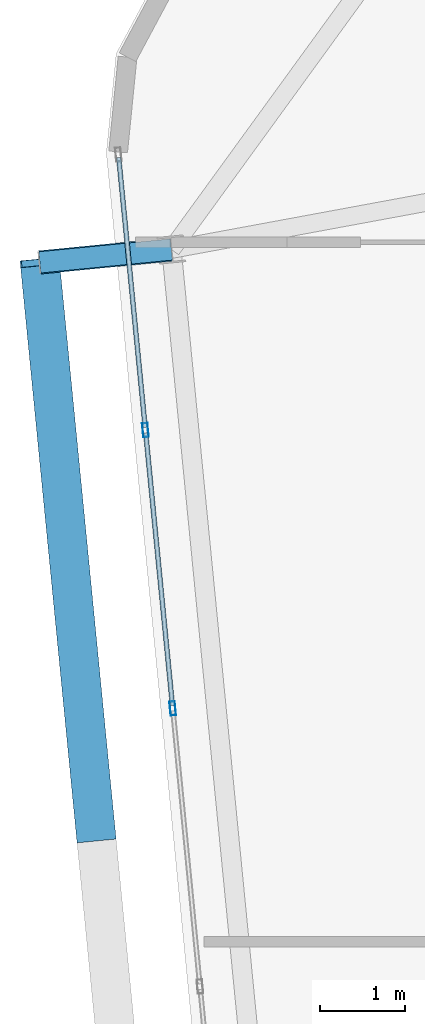
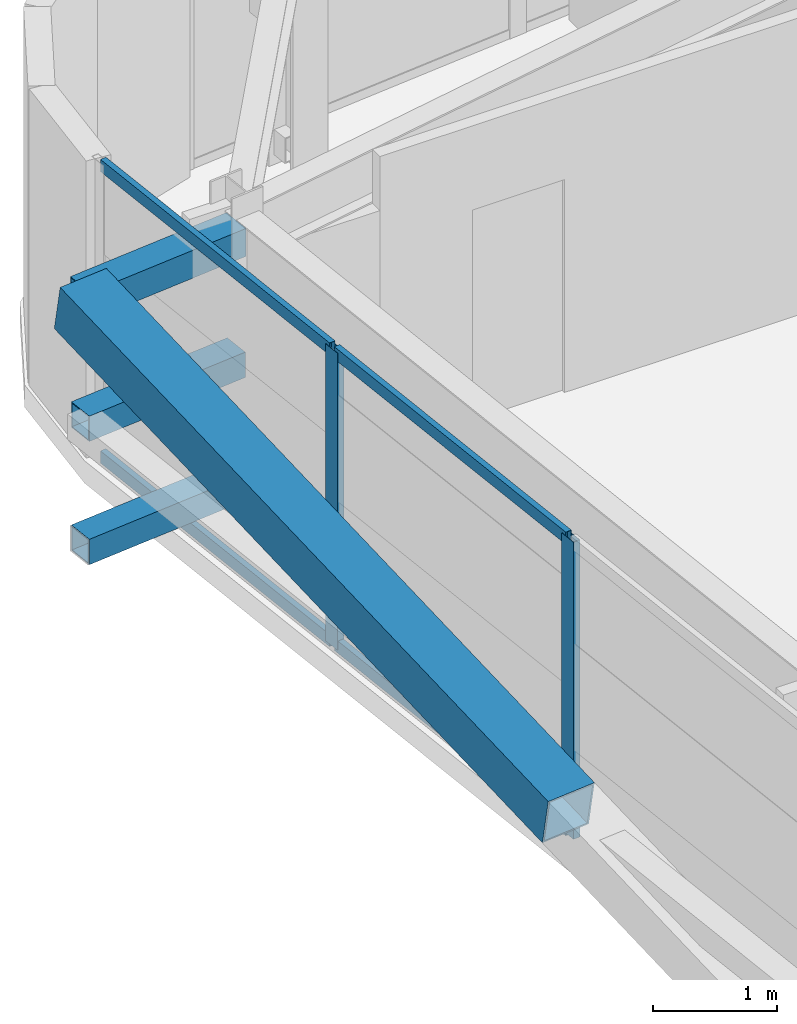
# One storey, part 15 of 52: 10 members, 1 element without a shape of its own.
"""IFC4 building model written with IfcOpenShell, lengths in metres."""

from ifc_helpers import new_model, si_unit, direction, frame, origin, origin_2d, place, context, subcontext, project, spatial, hollow_rectangle, extrude, source, transform, mapped, material, layer, layer_set, material_profile, profile_set, type_object, element, aggregate, save


model = new_model("IFC4")

# Units and contexts
model_context = context("Model", 3, precision=1e-05, world=origin(), true_north=direction((0.0, 1.0)))
body_context = subcontext(model_context, "Body", "Model", "MODEL_VIEW")
ifc_project = project(units=[si_unit("LENGTHUNIT", "METRE"), si_unit("AREAUNIT", "SQUARE_METRE"), si_unit("VOLUMEUNIT", "CUBIC_METRE"), si_unit("PLANEANGLEUNIT", "RADIAN"), si_unit("MASSUNIT", "GRAM", prefix="KILO")], contexts=[model_context])

# Site, building, storey
site_placement = place(None, origin())
site = spatial("IfcSite", under=ifc_project, at=site_placement, CompositionType="ELEMENT")
building_placement = place(site_placement, origin())
building = spatial("IfcBuilding", under=site, at=building_placement, Name="Taldren Reach Tower", CompositionType="ELEMENT")
storey_placement = place(building_placement, frame((0.0, 0.0, 77.699951171875)))
storey = spatial("IfcBuildingStorey", under=building, at=storey_placement, Name="L23", CompositionType="ELEMENT", Elevation=77.699951171875)

# Members
ifc_material_1 = material(Name="Steel Gr 450 (C450L0)", Category="steel")
ifc_material_profile_1 = material_profile(ifc_material_1, hollow_rectangle(XDim=0.27490234375, YDim=0.27490234375, WallThickness=0.00927734375, at=origin_2d()), Name="275x275x9.3SHS")
ifc_profile_set_1 = profile_set([ifc_material_profile_1], Name="Steel Gr 450 (C450L0)")
member_type_1 = type_object("IfcMemberType", Name="MB-TIE273", PredefinedType="STRUT", material=ifc_profile_set_1)
shared_shape_1 = source(origin(), body_context, "Body", "SweptSolid", [
    extrude(hollow_rectangle(XDim=0.27490234375, YDim=0.27490234375, WallThickness=0.00927734375, at=origin_2d()), origin(), (0.0, 0.0, 1.0), 1.550048828125),
])
member_1_placement = place(storey_placement, frame((8.808349609375, 30.116455078125, 2.650146484375), z_axis=(-0.9952210252, -0.097647892962, 0.0), x_axis=(0.097647892962, -0.9952210252, 0.0)))
element("IfcMember", 1, at=member_1_placement, inside=storey, type_object=member_type_1, Name="Exoskeleton diaphragm tie strut B2-W3 L23", PredefinedType="STRUT", context=body_context, shape_type="MappedRepresentation", body=[
    mapped(shared_shape_1, transform((0.0, 0.0, 0.0), scale=1.0)),
])
ifc_material_2 = material(Name="Steel Gr 350 (C350L0)", Category="steel")
ifc_material_profile_2 = material_profile(ifc_material_2, hollow_rectangle(XDim=0.25, YDim=0.25, WallThickness=0.010009765625, at=origin_2d()), Name="250x250x10.0SHS")
ifc_profile_set_2 = profile_set([ifc_material_profile_2], Name="Steel Gr 350 (C350L0)")
member_type_2 = type_object("IfcMemberType", Name="MB-POST250", PredefinedType="POST", material=ifc_profile_set_2)
shared_shape_2 = source(origin(), body_context, "Body", "SweptSolid", [
    extrude(hollow_rectangle(XDim=0.25, YDim=0.25, WallThickness=0.010009765625, at=origin_2d()), origin(), (0.0, 0.0, 1.0), 1.550048828125),
])
for number, where, z_axis, x_axis, name in (
    (2, (8.808349609375, 30.116455078125, 0.219970703125), (-0.9952210252, -0.097647892962, 0.0), (0.097647892962, -0.9952210252, 0.0), "Exoskeleton base diaphragm tie strut B2-W3 L23"),
    (3, (8.808349609375, 30.116455078125, 1.43505859375), (-0.9952210252, -0.097647892962, 0.0), (0.097647892962, -0.9952210252, 0.0), "Exoskeleton mid-tier diaphragm tie B2-W3 L23"),
):
    element("IfcMember", number, at=place(storey_placement, frame(where, z_axis=z_axis, x_axis=x_axis)), inside=storey, type_object=member_type_2, Name=name, PredefinedType="POST", context=body_context, shape_type="MappedRepresentation", body=[
        mapped(shared_shape_2, transform((0.0, 0.0, 0.0), scale=1.0)),
    ])
ifc_material_profile_3 = material_profile(ifc_material_1, hollow_rectangle(XDim=0.4599609375, YDim=0.4599609375, WallThickness=0.01611328125, at=origin_2d()), Name="460x460x16.0SHS")
ifc_profile_set_3 = profile_set([ifc_material_profile_3], Name="Steel Gr 450 (C450L0)")
member_type_3 = type_object("IfcMemberType", Name="MB-EXO457", PredefinedType="BRACE", material=ifc_profile_set_3)
shared_shape_3 = source(origin(), body_context, "Body", "SweptSolid", [
    extrude(hollow_rectangle(XDim=0.4599609375, YDim=0.4599609375, WallThickness=0.01611328125, at=origin_2d()), origin(), (0.0, 0.0, 1.0), 6.883056640625),
])
member_2_placement = place(storey_placement, frame((7.9267578125, 23.222412109375, 1.43505859375), z_axis=(-0.09605145821, 0.97959718347, 0.176531797456), x_axis=(-0.995227290009, -0.097584021339, 0.0)))
element("IfcMember", 4, at=member_2_placement, inside=storey, type_object=member_type_3, Name="Exoskeleton Diagrid Brace B2-W2 L23", PredefinedType="BRACE", context=body_context, shape_type="MappedRepresentation", body=[
    mapped(shared_shape_3, transform((0.0, 0.0, 0.0), scale=1.0)),
])

# Curtain wall, members
ifc_material_3 = material(Name="Aluminium and Low-E Glass Unitised System", Category="aluminium")
ifc_layer = layer(ifc_material_3, 0.159912109375)
ifc_layer_set = layer_set([ifc_layer], Name="Aluminium and Low-E Glass Unitised System")
curtain_wall_type = type_object("IfcCurtainWallType", Name="CW-SYS-3", PredefinedType="NOTDEFINED", material=ifc_layer_set)
curtain_wall_placement = place(storey_placement, origin())
curtain_wall = element("IfcCurtainWall", 5, at=curtain_wall_placement, inside=storey, type_object=curtain_wall_type, Name="Unitised curtain wall CW-L23-W", PredefinedType="NOTDEFINED")
ifc_material_4 = material(Name="Anodised Aluminium 6063-T6", Category="aluminium")
ifc_material_profile_4 = material_profile(ifc_material_4, hollow_rectangle(XDim=0.06494140625, YDim=0.1650390625, WallThickness=0.00390625, at=origin_2d()), Name="ALU-165x65x4RHS")
ifc_profile_set_4 = profile_set([ifc_material_profile_4], Name="Anodised Aluminium 6063-T6")
member_type_4 = type_object("IfcMemberType", Name="CW-MUL-165", PredefinedType="MULLION", material=ifc_profile_set_4)
shared_shape_4 = source(origin(), body_context, "Body", "SweptSolid", [
    extrude(hollow_rectangle(XDim=0.06494140625, YDim=0.1650390625, WallThickness=0.00390625, at=origin_2d()), origin(), (0.0, 0.0, 1.0), 2.929931640625),
])
member_3_placement = place(storey_placement, frame((8.50341796875, 27.998779296875, 0.0), z_axis=(0.0, 0.0, 1.0), x_axis=(0.99522741555, 0.09758274098, 0.0)))
member_3 = element("IfcMember", 6, at=member_3_placement, type_object=member_type_4, Name="CW-3 mullion 2", PredefinedType="MULLION", context=body_context, shape_type="MappedRepresentation", body=[
    mapped(shared_shape_4, transform((0.0, 0.0, 0.0), scale=1.0)),
])
member_4_placement = place(storey_placement, frame((8.8232421875, 24.736572265625, 0.0), z_axis=(0.0, 0.0, 1.0), x_axis=(0.99522741555, 0.09758274098, 0.0)))
member_4 = element("IfcMember", 7, at=member_4_placement, type_object=member_type_4, Name="CW-3 mullion 3", PredefinedType="MULLION", context=body_context, shape_type="MappedRepresentation", body=[
    mapped(shared_shape_4, transform((0.0, 0.0, 0.0), scale=1.0)),
])
ifc_material_profile_5 = material_profile(ifc_material_4, hollow_rectangle(XDim=0.054931640625, YDim=0.1201171875, WallThickness=0.0029296875, at=origin_2d()), Name="ALU-120x55x3RHS")
ifc_profile_set_5 = profile_set([ifc_material_profile_5], Name="Anodised Aluminium 6063-T6")
member_type_5 = type_object("IfcMemberType", Name="CW-TRN-135", PredefinedType="USERDEFINED", material=ifc_profile_set_5)
shared_shape_5 = source(origin(), body_context, "Body", "SweptSolid", [
    extrude(hollow_rectangle(XDim=0.054931640625, YDim=0.1201171875, WallThickness=0.0029296875, at=origin_2d()), origin(), (0.0, 0.0, 1.0), 3.18017578125),
])
member_5_placement = place(storey_placement, frame((8.18994140625, 31.1962890625, 0.027587890625), z_axis=(0.097572914968, -0.995228378949, 0.0), x_axis=(0.995228378949, 0.097572914968, 0.0)))
member_5 = element("IfcMember", 8, at=member_5_placement, type_object=member_type_5, Name="CW-3 transom 1.1", ObjectType="TRANSOM", PredefinedType="USERDEFINED", context=body_context, shape_type="MappedRepresentation", body=[
    mapped(shared_shape_5, transform((0.0, 0.0, 0.0), scale=1.0)),
])
member_6_placement = place(storey_placement, frame((8.18994140625, 31.1962890625, 2.902587890625), z_axis=(0.097572914968, -0.995228378949, 0.0), x_axis=(0.995228378949, 0.097572914968, 0.0)))
member_6 = element("IfcMember", 9, at=member_6_placement, type_object=member_type_5, Name="CW-3 transom 1.2", ObjectType="TRANSOM", PredefinedType="USERDEFINED", context=body_context, shape_type="MappedRepresentation", body=[
    mapped(shared_shape_5, transform((0.0, 0.0, 0.0), scale=1.0)),
])
shared_shape_6 = source(origin(), body_context, "Body", "SweptSolid", [
    extrude(hollow_rectangle(XDim=0.054931640625, YDim=0.1201171875, WallThickness=0.0029296875, at=origin_2d()), origin(), (0.0, 0.0, 1.0), 3.212890625),
])
member_7_placement = place(storey_placement, frame((8.506591796875, 27.966552734375, 0.027587890625), z_axis=(0.097569948235, -0.995228669805, 0.0), x_axis=(0.995228669805, 0.097569948235, 0.0)))
member_7 = element("IfcMember", 10, at=member_7_placement, type_object=member_type_5, Name="CW-3 transom 2.1", ObjectType="TRANSOM", PredefinedType="USERDEFINED", context=body_context, shape_type="MappedRepresentation", body=[
    mapped(shared_shape_6, transform((0.0, 0.0, 0.0), scale=1.0)),
])
member_8_placement = place(storey_placement, frame((8.506591796875, 27.966552734375, 2.902587890625), z_axis=(0.097569948235, -0.995228669805, 0.0), x_axis=(0.995228669805, 0.097569948235, 0.0)))
member_8 = element("IfcMember", 11, at=member_8_placement, type_object=member_type_5, Name="CW-3 transom 2.2", ObjectType="TRANSOM", PredefinedType="USERDEFINED", context=body_context, shape_type="MappedRepresentation", body=[
    mapped(shared_shape_6, transform((0.0, 0.0, 0.0), scale=1.0)),
])
aggregate(curtain_wall, [member_3, member_4, member_5, member_6, member_7, member_8])

save(model, "model.ifc")
